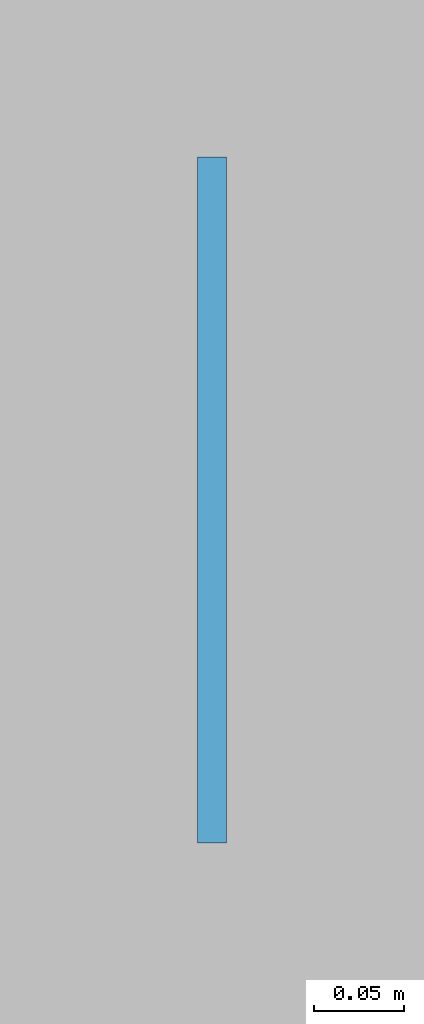
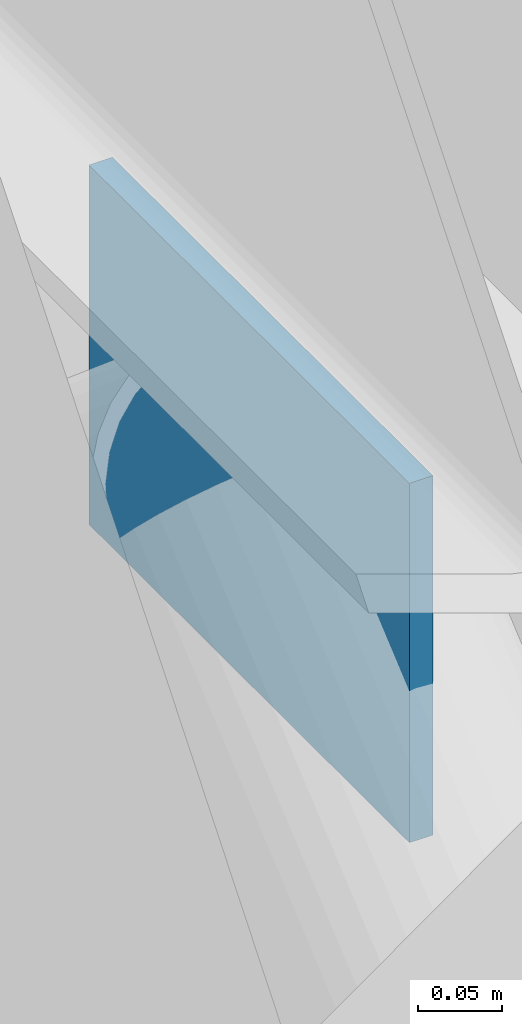
# One storey, part 94 of 132: 1 plate.
"""IFC4 building model written with IfcOpenShell, lengths in metres."""

from ifc_helpers import new_model, si_unit, direction, frame, origin, origin_2d, place, context, subcontext, project, spatial, rectangle, extrude, material, layer, layer_set, type_object, element, save


model = new_model("IFC4")

# Units and contexts
model_context = context("Model", 3, precision=1e-05, world=origin(), true_north=direction((0.0, 1.0)))
body_context = subcontext(model_context, "Body", "Model", "MODEL_VIEW")
ifc_project = project(units=[si_unit("LENGTHUNIT", "METRE"), si_unit("AREAUNIT", "SQUARE_METRE"), si_unit("VOLUMEUNIT", "CUBIC_METRE"), si_unit("PLANEANGLEUNIT", "RADIAN"), si_unit("MASSUNIT", "GRAM", prefix="KILO")], contexts=[model_context])

# Site, building, storey
site_placement = place(None, origin())
site = spatial("IfcSite", under=ifc_project, at=site_placement, CompositionType="ELEMENT")
building_placement = place(site_placement, origin())
building = spatial("IfcBuilding", under=site, at=building_placement, Name="Qasida Concert Hall", CompositionType="ELEMENT")
storey_placement = place(building_placement, frame((0.0, 0.0, 4.800048828125)))
storey = spatial("IfcBuildingStorey", under=building, at=storey_placement, Name="L01", CompositionType="ELEMENT", Elevation=4.800048828125)

# Plate
ifc_material = material(Name="Steel S355J2", Category="steel")
ifc_layer = layer(ifc_material, 0.01611328125, Name="Steel S355J2")
ifc_layer_set = layer_set([ifc_layer], Name="Steel S355J2")
plate_type = type_object("IfcPlateType", Name="PLT-PL-EC3", PredefinedType="SHEET", material=ifc_layer_set)
plate_placement = place(storey_placement, frame((52.5, 71.25, 3.0400390625), z_axis=(0.0, 0.0, 1.0), x_axis=(0.0, 1.0, 0.0)))
element("IfcPlate", 1, at=plate_placement, inside=storey, type_object=plate_type, Name="Chevron apex plate CBF-0072", PredefinedType="SHEET", context=body_context, shape_type="SweptSolid", body=[
    extrude(rectangle(XDim=0.3798828125, YDim=0.01611328125, at=origin_2d()), origin(), (0.0, 0.0, 1.0), 0.260009765625),
])

save(model, "model.ifc")
